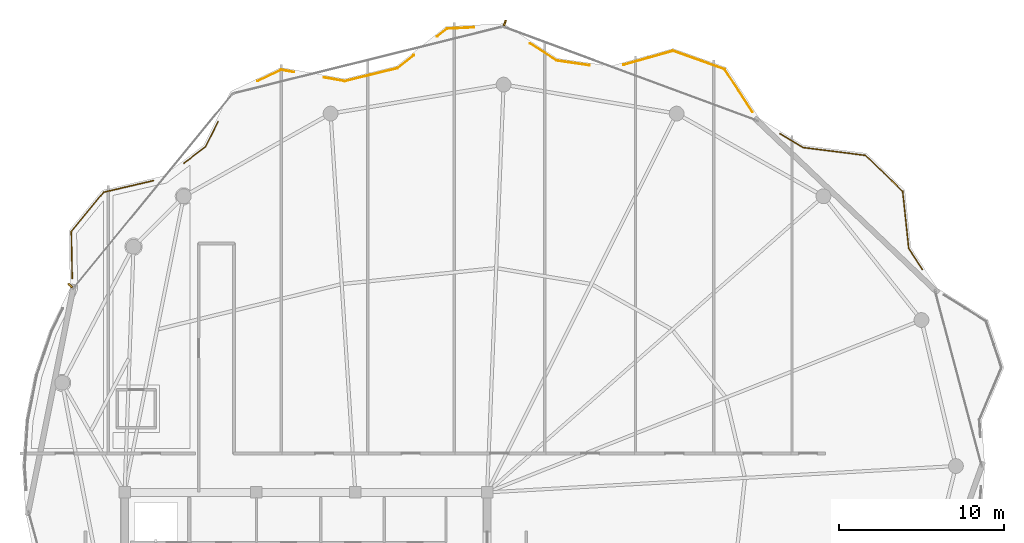
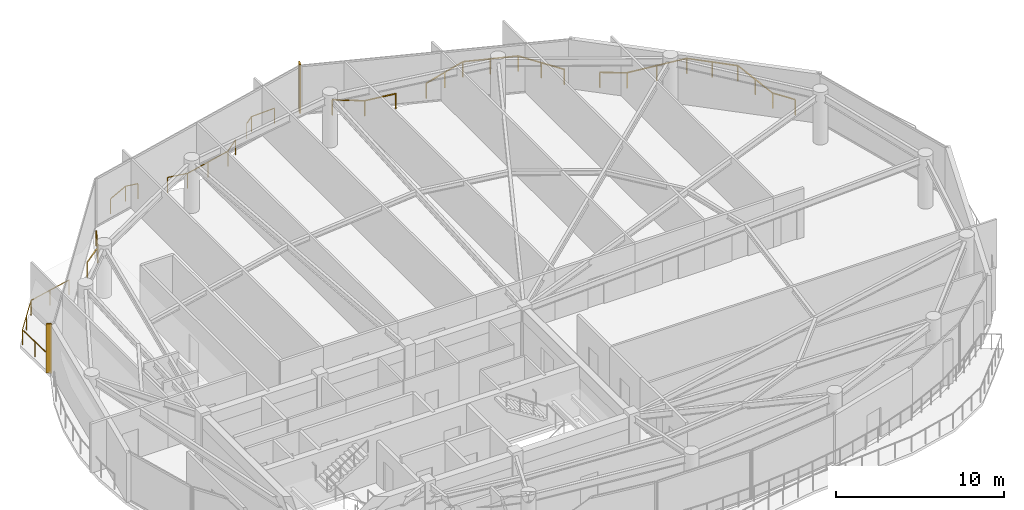
# One storey, part 29 of 29: 8 railings, 2 shading devices.
"""IFC4 building model written with IfcOpenShell, lengths in metres."""

from ifc_helpers import new_model, si_unit, direction, frame, origin, origin_2d, place, context, subcontext, project, spatial, rectangle, extrude, material, type_object, element, save


model = new_model("IFC4")

# Units and contexts
model_context = context("Model", 3, precision=1e-05, world=origin(), true_north=direction((0.0, 1.0)))
body_context = subcontext(model_context, "Body", "Model", "MODEL_VIEW")
ifc_project = project(units=[si_unit("LENGTHUNIT", "METRE"), si_unit("AREAUNIT", "SQUARE_METRE"), si_unit("VOLUMEUNIT", "CUBIC_METRE"), si_unit("PLANEANGLEUNIT", "RADIAN"), si_unit("MASSUNIT", "GRAM", prefix="KILO")], contexts=[model_context])

# Site, building, storey
site_placement = place(None, origin())
site = spatial("IfcSite", under=ifc_project, at=site_placement, CompositionType="ELEMENT")
building_placement = place(site_placement, origin())
building = spatial("IfcBuilding", under=site, at=building_placement, Name="Kazevale Care Tower and Concert Hall", CompositionType="ELEMENT")
storey_placement = place(building_placement, frame((0.0, 0.0, 285.199951171875)))
storey = spatial("IfcBuildingStorey", under=building, at=storey_placement, Name="L75", CompositionType="ELEMENT", Elevation=285.199951171875)

# Railings
ifc_material_1 = material(Name="Anodised Bronze Aluminium and Laminated Glass", Category="aluminium")
railing_type = type_object("IfcRailingType", Name="Balcony and Terrace Balustrade 1120", PredefinedType="BALUSTRADE", material=ifc_material_1)
railing_1_placement = place(storey_placement, frame((18.821044921875, 49.384033203125, 0.0)))
element("IfcRailing", 1, at=railing_1_placement, inside=storey, type_object=railing_type, Name="rail:L75:perim:2", PredefinedType="BALUSTRADE", context=body_context, shape_type="SweptSolid", body=[
    extrude(rectangle(XDim=0.048095703125, YDim=0.048095703125, at=origin_2d()), frame((0.0, 0.0, 1.09619140625), z_axis=(-0.019684594685, 0.999806239595, 0.0), x_axis=(-0.999806239595, -0.019684594685, 0.0)), (0.0, 0.0, 1.0), 2.8525390625),
    extrude(rectangle(XDim=0.048095703125, YDim=0.048095703125, at=origin_2d()), frame((-0.05615234375, 2.85205078125, 1.09619140625), z_axis=(0.635732243255, 0.771909654614, 0.0), x_axis=(-0.771909654614, 0.635732243255, 0.0)), (0.0, 0.0, 1.0), 3.081787109375),
    extrude(rectangle(XDim=0.048095703125, YDim=0.048095703125, at=origin_2d()), frame((1.903076171875, 5.23095703125, 1.09619140625), z_axis=(0.973717091903, 0.227760894218, 0.0), x_axis=(-0.227760894218, 0.973717091903, 0.0)), (0.0, 0.0, 1.0), 3.108642578125),
    extrude(rectangle(XDim=0.0419921875, YDim=0.0419921875, at=origin_2d()), origin(), (0.0, 0.0, 1.0), 1.072021484375),
    extrude(rectangle(XDim=0.0419921875, YDim=0.0419921875, at=origin_2d()), frame((-0.028076171875, 1.426025390625, 0.0)), (0.0, 0.0, 1.0), 1.072021484375),
    extrude(rectangle(XDim=0.0419921875, YDim=0.0419921875, at=origin_2d()), frame((-0.05615234375, 2.85205078125, 0.0)), (0.0, 0.0, 1.0), 1.072021484375),
    extrude(rectangle(XDim=0.0419921875, YDim=0.0419921875, at=origin_2d()), frame((0.92333984375, 4.04150390625, 0.0)), (0.0, 0.0, 1.0), 1.072021484375),
    extrude(rectangle(XDim=0.0419921875, YDim=0.0419921875, at=origin_2d()), frame((1.903076171875, 5.23095703125, 0.0)), (0.0, 0.0, 1.0), 1.072021484375),
    extrude(rectangle(XDim=0.0419921875, YDim=0.0419921875, at=origin_2d()), frame((3.41650390625, 5.5849609375, 0.0)), (0.0, 0.0, 1.0), 1.072021484375),
    extrude(rectangle(XDim=0.0419921875, YDim=0.0419921875, at=origin_2d()), frame((4.929931640625, 5.93896484375, 0.0)), (0.0, 0.0, 1.0), 1.072021484375),
])
railing_2_placement = place(storey_placement, frame((25.59912109375, 56.381103515625, 0.0)))
element("IfcRailing", 2, at=railing_2_placement, inside=storey, type_object=railing_type, Name="rail:L75:perim:3", PredefinedType="BALUSTRADE", context=body_context, shape_type="SweptSolid", body=[
    extrude(rectangle(XDim=0.048095703125, YDim=0.048095703125, at=origin_2d()), frame((0.0, 0.0, 1.09619140625), z_axis=(0.795462442942, 0.606002889323, 0.0), x_axis=(-0.606002889323, 0.795462442942, 0.0)), (0.0, 0.0, 1.0), 1.6416015625),
    extrude(rectangle(XDim=0.048095703125, YDim=0.048095703125, at=origin_2d()), frame((1.305908203125, 0.994873046875, 1.09619140625), z_axis=(0.44698682814, 0.894540538751, 0.0), x_axis=(-0.894540538751, 0.44698682814, 0.0)), (0.0, 0.0, 1.0), 1.72265625),
    extrude(rectangle(XDim=0.0419921875, YDim=0.0419921875, at=origin_2d()), origin(), (0.0, 0.0, 1.0), 1.072021484375),
    extrude(rectangle(XDim=0.0419921875, YDim=0.0419921875, at=origin_2d()), frame((1.305908203125, 0.994873046875, 0.0)), (0.0, 0.0, 1.0), 1.072021484375),
    extrude(rectangle(XDim=0.0419921875, YDim=0.0419921875, at=origin_2d()), frame((2.075927734375, 2.535888671875, 0.0)), (0.0, 0.0, 1.0), 1.072021484375),
])
railing_3_placement = place(storey_placement, frame((30.0830078125, 61.367919921875, 0.0)))
element("IfcRailing", 3, at=railing_3_placement, inside=storey, type_object=railing_type, Name="rail:L75:perim:4", PredefinedType="BALUSTRADE", context=body_context, shape_type="SweptSolid", body=[
    extrude(rectangle(XDim=0.048095703125, YDim=0.048095703125, at=origin_2d()), frame((0.0, 0.0, 1.09619140625), z_axis=(0.902765880036, 0.430132265522, 0.0), x_axis=(-0.430132265522, 0.902765880036, 0.0)), (0.0, 0.0, 1.0), 1.573974609375),
    extrude(rectangle(XDim=0.048095703125, YDim=0.048095703125, at=origin_2d()), frame((1.4208984375, 0.677001953125, 1.09619140625), z_axis=(0.984624142396, -0.174686285128, 0.0), x_axis=(0.174686285128, 0.984624142396, 0.0)), (0.0, 0.0, 1.0), 0.77294921875),
    extrude(rectangle(XDim=0.0419921875, YDim=0.0419921875, at=origin_2d()), origin(), (0.0, 0.0, 1.0), 1.072021484375),
    extrude(rectangle(XDim=0.0419921875, YDim=0.0419921875, at=origin_2d()), frame((1.4208984375, 0.677001953125, 0.0)), (0.0, 0.0, 1.0), 1.072021484375),
    extrude(rectangle(XDim=0.0419921875, YDim=0.0419921875, at=origin_2d()), frame((2.181884765625, 0.5419921875, 0.0)), (0.0, 0.0, 1.0), 1.072021484375),
])
railing_4_placement = place(storey_placement, frame((34.10400390625, 61.5830078125, 0.0)))
element("IfcRailing", 4, at=railing_4_placement, inside=storey, type_object=railing_type, Name="rail:L75:perim:5", PredefinedType="BALUSTRADE", context=body_context, shape_type="SweptSolid", body=[
    extrude(rectangle(XDim=0.048095703125, YDim=0.048095703125, at=origin_2d()), frame((0.0, 0.0, 1.09619140625), z_axis=(0.984640768369, -0.174592546421, 0.0), x_axis=(0.174592546421, 0.984640768369, 0.0)), (0.0, 0.0, 1.0), 1.276611328125),
    extrude(rectangle(XDim=0.048095703125, YDim=0.048095703125, at=origin_2d()), frame((1.257080078125, -0.222900390625, 1.09619140625), z_axis=(0.971156562417, 0.23844272116, 0.0), x_axis=(-0.23844272116, 0.971156562417, 0.0)), (0.0, 0.0, 1.0), 3.300048828125),
    extrude(rectangle(XDim=0.048095703125, YDim=0.048095703125, at=origin_2d()), frame((4.4619140625, 0.56396484375, 1.09619140625), z_axis=(0.781170621765, 0.624317595211, 0.0), x_axis=(-0.624317595211, 0.781170621765, 0.0)), (0.0, 0.0, 1.0), 1.26220703125),
    extrude(rectangle(XDim=0.0419921875, YDim=0.0419921875, at=origin_2d()), origin(), (0.0, 0.0, 1.0), 1.072021484375),
    extrude(rectangle(XDim=0.0419921875, YDim=0.0419921875, at=origin_2d()), frame((1.257080078125, -0.222900390625, 0.0)), (0.0, 0.0, 1.0), 1.072021484375),
    extrude(rectangle(XDim=0.0419921875, YDim=0.0419921875, at=origin_2d()), frame((2.859375, 0.17041015625, 0.0)), (0.0, 0.0, 1.0), 1.072021484375),
    extrude(rectangle(XDim=0.0419921875, YDim=0.0419921875, at=origin_2d()), frame((4.4619140625, 0.56396484375, 0.0)), (0.0, 0.0, 1.0), 1.072021484375),
    extrude(rectangle(XDim=0.0419921875, YDim=0.0419921875, at=origin_2d()), frame((5.447998046875, 1.35205078125, 0.0)), (0.0, 0.0, 1.0), 1.072021484375),
])
railing_5_placement = place(storey_placement, frame((40.972900390625, 64.071044921875, 0.0)))
element("IfcRailing", 5, at=railing_5_placement, inside=storey, type_object=railing_type, Name="rail:L75:perim:6", PredefinedType="BALUSTRADE", context=body_context, shape_type="SweptSolid", body=[
    extrude(rectangle(XDim=0.048095703125, YDim=0.048095703125, at=origin_2d()), frame((0.0, 0.0, 1.09619140625), z_axis=(0.780837342425, 0.624734379297, 0.0), x_axis=(-0.624734379297, 0.780837342425, 0.0)), (0.0, 0.0, 1.0), 0.757080078125),
    extrude(rectangle(XDim=0.048095703125, YDim=0.048095703125, at=origin_2d()), frame((0.591064453125, 0.472900390625, 1.09619140625), z_axis=(0.998853537497, 0.047870770106, 0.0), x_axis=(-0.047870770106, 0.998853537497, 0.0)), (0.0, 0.0, 1.0), 1.632080078125),
    extrude(rectangle(XDim=0.0419921875, YDim=0.0419921875, at=origin_2d()), origin(), (0.0, 0.0, 1.0), 1.072021484375),
    extrude(rectangle(XDim=0.0419921875, YDim=0.0419921875, at=origin_2d()), frame((0.591064453125, 0.472900390625, 0.0)), (0.0, 0.0, 1.0), 1.072021484375),
    extrude(rectangle(XDim=0.0419921875, YDim=0.0419921875, at=origin_2d()), frame((2.22119140625, 0.551025390625, 0.0)), (0.0, 0.0, 1.0), 1.072021484375),
])
railing_6_placement = place(storey_placement, frame((46.60205078125, 63.65087890625, 0.0)))
element("IfcRailing", 6, at=railing_6_placement, inside=storey, type_object=railing_type, Name="rail:L75:perim:7", PredefinedType="BALUSTRADE", context=body_context, shape_type="SweptSolid", body=[
    extrude(rectangle(XDim=0.048095703125, YDim=0.048095703125, at=origin_2d()), frame((0.0, 0.0, 1.09619140625), z_axis=(0.840580024656, -0.541687384151, 0.0), x_axis=(0.541687384151, 0.840580024656, 0.0)), (0.0, 0.0, 1.0), 1.923583984375),
    extrude(rectangle(XDim=0.048095703125, YDim=0.048095703125, at=origin_2d()), frame((1.616943359375, -1.0419921875, 1.09619140625), z_axis=(0.989675952346, -0.143323094261, 0.0), x_axis=(0.143323094261, 0.989675952346, 0.0)), (0.0, 0.0, 1.0), 1.99462890625),
    extrude(rectangle(XDim=0.0419921875, YDim=0.0419921875, at=origin_2d()), origin(), (0.0, 0.0, 1.0), 1.072021484375),
    extrude(rectangle(XDim=0.0419921875, YDim=0.0419921875, at=origin_2d()), frame((1.616943359375, -1.0419921875, 0.0)), (0.0, 0.0, 1.0), 1.072021484375),
    extrude(rectangle(XDim=0.0419921875, YDim=0.0419921875, at=origin_2d()), frame((3.591064453125, -1.327880859375, 0.0)), (0.0, 0.0, 1.0), 1.072021484375),
])
railing_7_placement = place(storey_placement, frame((52.297119140625, 62.35498046875, 0.0)))
element("IfcRailing", 7, at=railing_7_placement, inside=storey, type_object=railing_type, Name="rail:L75:perim:8", PredefinedType="BALUSTRADE", context=body_context, shape_type="SweptSolid", body=[
    extrude(rectangle(XDim=0.048095703125, YDim=0.048095703125, at=origin_2d()), frame((0.0, 0.0, 1.09619140625), z_axis=(0.962541888318, 0.271133017601, 0.0), x_axis=(-0.271133017601, 0.962541888318, 0.0)), (0.0, 0.0, 1.0), 3.10205078125),
    extrude(rectangle(XDim=0.048095703125, YDim=0.048095703125, at=origin_2d()), frame((2.98583984375, 0.841064453125, 1.09619140625), z_axis=(0.941811449512, -0.336141627247, 0.0), x_axis=(0.336141627247, 0.941811449512, 0.0)), (0.0, 0.0, 1.0), 3.335205078125),
    extrude(rectangle(XDim=0.048095703125, YDim=0.048095703125, at=origin_2d()), frame((6.126953125, -0.280029296875, 1.09619140625), z_axis=(0.544988350595, -0.838443616301, 0.0), x_axis=(0.838443616301, 0.544988350595, 0.0)), (0.0, 0.0, 1.0), 3.080810546875),
    extrude(rectangle(XDim=0.0419921875, YDim=0.0419921875, at=origin_2d()), origin(), (0.0, 0.0, 1.0), 1.072021484375),
    extrude(rectangle(XDim=0.0419921875, YDim=0.0419921875, at=origin_2d()), frame((1.492919921875, 0.42041015625, 0.0)), (0.0, 0.0, 1.0), 1.072021484375),
    extrude(rectangle(XDim=0.0419921875, YDim=0.0419921875, at=origin_2d()), frame((2.98583984375, 0.841064453125, 0.0)), (0.0, 0.0, 1.0), 1.072021484375),
    extrude(rectangle(XDim=0.0419921875, YDim=0.0419921875, at=origin_2d()), frame((4.556396484375, 0.280517578125, 0.0)), (0.0, 0.0, 1.0), 1.072021484375),
    extrude(rectangle(XDim=0.0419921875, YDim=0.0419921875, at=origin_2d()), frame((6.126953125, -0.280029296875, 0.0)), (0.0, 0.0, 1.0), 1.072021484375),
    extrude(rectangle(XDim=0.0419921875, YDim=0.0419921875, at=origin_2d()), frame((6.96630859375, -1.571533203125, 0.0)), (0.0, 0.0, 1.0), 1.072021484375),
    extrude(rectangle(XDim=0.0419921875, YDim=0.0419921875, at=origin_2d()), frame((7.805908203125, -2.863037109375, 0.0)), (0.0, 0.0, 1.0), 1.072021484375),
])
railing_8_placement = place(storey_placement, frame((61.777099609375, 58.16796875, 0.0)))
element("IfcRailing", 8, at=railing_8_placement, inside=storey, type_object=railing_type, Name="rail:L75:perim:9", PredefinedType="BALUSTRADE", context=body_context, shape_type="SweptSolid", body=[
    extrude(rectangle(XDim=0.048095703125, YDim=0.048095703125, at=origin_2d()), frame((0.0, 0.0, 1.09619140625), z_axis=(0.855619888467, -0.517604681645, 0.0), x_axis=(0.517604681645, 0.855619888467, 0.0)), (0.0, 0.0, 1.0), 1.614990234375),
    extrude(rectangle(XDim=0.048095703125, YDim=0.048095703125, at=origin_2d()), frame((1.3818359375, -0.8359375, 1.09619140625), z_axis=(0.992164806557, -0.124935970122, 0.0), x_axis=(0.124935970122, 0.992164806557, 0.0)), (0.0, 0.0, 1.0), 3.833984375),
    extrude(rectangle(XDim=0.048095703125, YDim=0.048095703125, at=origin_2d()), frame((5.185791015625, -1.31494140625, 1.09619140625), z_axis=(0.719603950187, -0.694384731165, 0.0), x_axis=(0.694384731165, 0.719603950187, 0.0)), (0.0, 0.0, 1.0), 3.136474609375),
    extrude(rectangle(XDim=0.048095703125, YDim=0.048095703125, at=origin_2d()), frame((7.44287109375, -3.492919921875, 1.09619140625), z_axis=(0.105630257009, -0.994405475047, 0.0), x_axis=(0.994405475047, 0.105630257009, 0.0)), (0.0, 0.0, 1.0), 3.49462890625),
    extrude(rectangle(XDim=0.048095703125, YDim=0.048095703125, at=origin_2d()), frame((7.81201171875, -6.968017578125, 1.09619140625), z_axis=(0.543819718674, -0.839202069576, 0.0), x_axis=(0.839202069576, 0.543819718674, 0.0)), (0.0, 0.0, 1.0), 1.513427734375),
    extrude(rectangle(XDim=0.0419921875, YDim=0.0419921875, at=origin_2d()), origin(), (0.0, 0.0, 1.0), 1.072021484375),
    extrude(rectangle(XDim=0.0419921875, YDim=0.0419921875, at=origin_2d()), frame((1.3818359375, -0.8359375, 0.0)), (0.0, 0.0, 1.0), 1.072021484375),
    extrude(rectangle(XDim=0.0419921875, YDim=0.0419921875, at=origin_2d()), frame((3.28369140625, -1.075439453125, 0.0)), (0.0, 0.0, 1.0), 1.072021484375),
    extrude(rectangle(XDim=0.0419921875, YDim=0.0419921875, at=origin_2d()), frame((5.185791015625, -1.31494140625, 0.0)), (0.0, 0.0, 1.0), 1.072021484375),
    extrude(rectangle(XDim=0.0419921875, YDim=0.0419921875, at=origin_2d()), frame((6.314453125, -2.40380859375, 0.0)), (0.0, 0.0, 1.0), 1.072021484375),
    extrude(rectangle(XDim=0.0419921875, YDim=0.0419921875, at=origin_2d()), frame((7.44287109375, -3.492919921875, 0.0)), (0.0, 0.0, 1.0), 1.072021484375),
    extrude(rectangle(XDim=0.0419921875, YDim=0.0419921875, at=origin_2d()), frame((7.62744140625, -5.23046875, 0.0)), (0.0, 0.0, 1.0), 1.072021484375),
    extrude(rectangle(XDim=0.0419921875, YDim=0.0419921875, at=origin_2d()), frame((7.81201171875, -6.968017578125, 0.0)), (0.0, 0.0, 1.0), 1.072021484375),
    extrude(rectangle(XDim=0.0419921875, YDim=0.0419921875, at=origin_2d()), frame((8.635009765625, -8.238037109375, 0.0)), (0.0, 0.0, 1.0), 1.072021484375),
])

# Shading devices
ifc_material_2 = material(Name="Anodised Bronze Aluminium", Category="aluminium")
shading_device_type = type_object("IfcShadingDeviceType", Name="Waist Anodised Bronze-Stone Fin FIN-02", PredefinedType="USERDEFINED", material=ifc_material_2)
for number, where, z_axis, x_axis, name in (
    (9, (18.7001953125, 48.95703125, 0.0), (0.0, 0.0, 1.0), (-0.773840209727, 0.633380872628, 0.0), "cw:L75:f14:fin"),
    (10, (45.077392578125, 64.893310546875, 0.0), (0.0, 0.0, 1.0), (0.346935651573, 0.937888934612, 0.0), "cw:L75:f16:fin"),
):
    element("IfcShadingDevice", number, at=place(storey_placement, frame(where, z_axis=z_axis, x_axis=x_axis)), inside=storey, type_object=shading_device_type, Name=name, ObjectType="FIN", PredefinedType="USERDEFINED", context=body_context, shape_type="SweptSolid", body=[
        extrude(rectangle(XDim=0.340087890625, YDim=0.10009765625, at=origin_2d()), origin(), (0.0, 0.0, 1.0), 3.56005859375),
    ])

save(model, "model.ifc")
